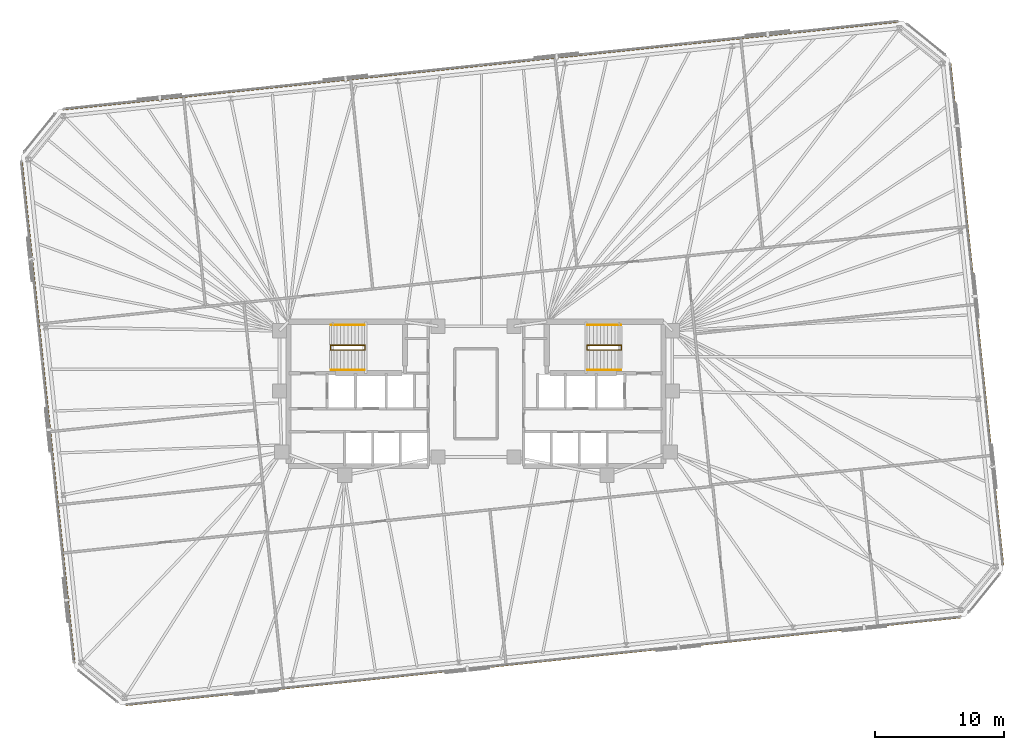
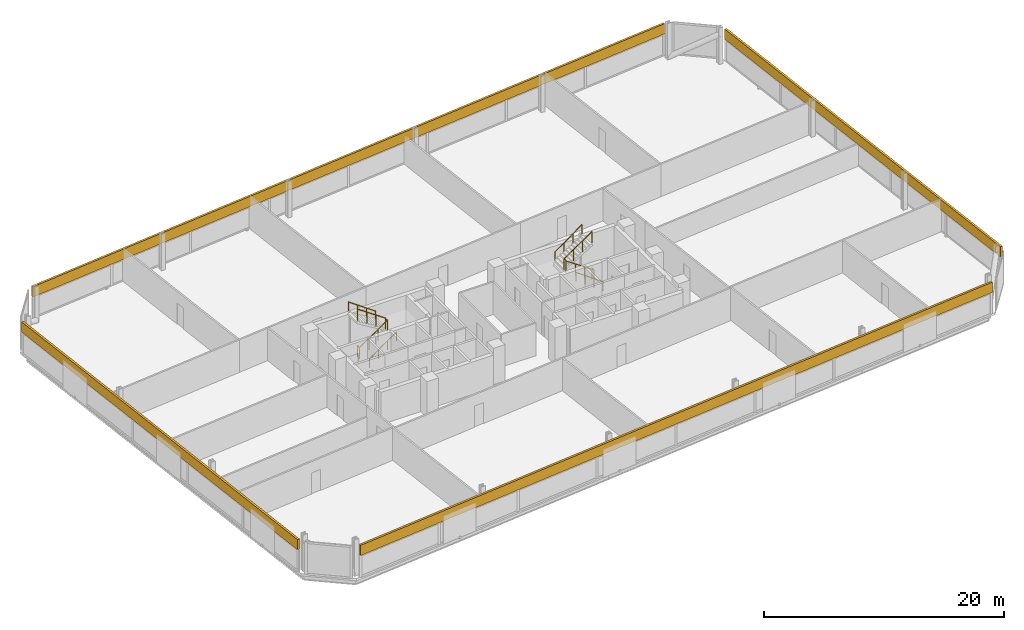
# One storey, part 18 of 18: 6 railings, 4 coverings.
"""IFC4 building model written with IfcOpenShell, lengths in metres."""

from ifc_helpers import new_model, si_unit, direction, frame, origin, origin_2d, place, context, subcontext, project, spatial, polyline, circle, outline, extrude, material, layer, layer_set, type_object, element, save


model = new_model("IFC4")

# Units and contexts
model_context = context("Model", 3, precision=1e-05, world=origin(), true_north=direction((0.0, 1.0)))
body_context = subcontext(model_context, "Body", "Model", "MODEL_VIEW")
ifc_project = project(units=[si_unit("LENGTHUNIT", "METRE"), si_unit("AREAUNIT", "SQUARE_METRE"), si_unit("VOLUMEUNIT", "CUBIC_METRE"), si_unit("PLANEANGLEUNIT", "RADIAN"), si_unit("MASSUNIT", "GRAM", prefix="KILO")], contexts=[model_context])

# Site, building, storey
site_placement = place(None, origin())
site = spatial("IfcSite", under=ifc_project, at=site_placement, CompositionType="ELEMENT")
building_placement = place(site_placement, origin())
building = spatial("IfcBuilding", under=site, at=building_placement, Name="Menara Jurai Vektor", CompositionType="ELEMENT")
storey_placement = place(building_placement, frame((0.0, 0.0, 139.199951171875)))
storey = spatial("IfcBuildingStorey", under=building, at=storey_placement, Name="L35", CompositionType="ELEMENT", Elevation=139.199951171875)

# Coverings
ifc_material_1 = material(Name="Insulated Pale Aluminium Spandrel Cladding", Category="aluminium")
ifc_layer = layer(ifc_material_1, 0.199951171875)
ifc_layer_set = layer_set([ifc_layer], Name="Insulated Pale Aluminium Spandrel Cladding")
covering_type = type_object("IfcCoveringType", Name="ENV-COV-SPANDREL", PredefinedType="CLADDING", material=ifc_layer_set)
covering_1_placement = place(storey_placement, frame((0.0, 0.0, 2.259033203125)))
element("IfcCovering", 1, at=covering_1_placement, inside=storey, type_object=covering_type, Name="Insulated Pale-Metal Spandrel Band L35 F01", PredefinedType="CLADDING", context=body_context, shape_type="SweptSolid", body=[
    extrude(outline(polyline([(-27.171875, -24.027587890625), (-27.15087890625, -24.2265625), (37.63232421875, -17.41748046875), (37.611328125, -17.218505859375), (-27.171875, -24.027587890625)])), origin(), (0.0, 0.0, 1.0), 1.0361328125),
])
covering_2_placement = place(storey_placement, frame((0.0, 0.0, 2.259033203125)))
element("IfcCovering", 2, at=covering_2_placement, inside=storey, type_object=covering_type, Name="Insulated Pale-Metal Spandrel Band L35 F03", PredefinedType="CLADDING", context=body_context, shape_type="SweptSolid", body=[
    extrude(outline(polyline([(40.797607421875, -13.2841796875), (40.99658203125, -13.26318359375), (36.9052734375, 25.66259765625), (36.706298828125, 25.6416015625), (40.797607421875, -13.2841796875)])), origin(), (0.0, 0.0, 1.0), 1.0361328125),
])
covering_3_placement = place(storey_placement, frame((0.0, 0.0, 2.259033203125)))
element("IfcCovering", 3, at=covering_3_placement, inside=storey, type_object=covering_type, Name="Insulated Pale-Metal Spandrel Band L35 F05", PredefinedType="CLADDING", context=body_context, shape_type="SweptSolid", body=[
    extrude(outline(polyline([(32.771728515625, 28.82763671875), (32.750732421875, 29.026611328125), (-32.032470703125, 22.217529296875), (-32.011474609375, 22.0185546875), (32.771728515625, 28.82763671875)])), origin(), (0.0, 0.0, 1.0), 1.0361328125),
])
covering_4_placement = place(storey_placement, frame((0.0, 0.0, 2.259033203125)))
element("IfcCovering", 4, at=covering_4_placement, inside=storey, type_object=covering_type, Name="Insulated Pale-Metal Spandrel Band L35 F07", PredefinedType="CLADDING", context=body_context, shape_type="SweptSolid", body=[
    extrude(outline(polyline([(-35.197509765625, 18.084228515625), (-35.396484375, 18.063232421875), (-31.305419921875, -20.862548828125), (-31.106201171875, -20.841552734375), (-35.197509765625, 18.084228515625)])), origin(), (0.0, 0.0, 1.0), 1.0361328125),
])

# Railings
ifc_material_2 = material(Name="Painted Galvanised Steel Balustrade", Category="steel")
railing_type_1 = type_object("IfcRailingType", Name="RAIL-STAIR-GUARD", PredefinedType="GUARDRAIL", material=ifc_material_2)
railing_1_placement = place(storey_placement, frame((-11.2900390625, 3.780029296875, 0.0)))
element("IfcRailing", 5, at=railing_1_placement, inside=storey, type_object=railing_type_1, Name="ST1 Stair Guardrail 1 L35", PredefinedType="GUARDRAIL", context=body_context, shape_type="SweptSolid", body=[
    extrude(circle(Radius=0.02392578125, at=origin_2d()), frame((0.0, 0.0, 1.1259765625), z_axis=(0.0, -1.0, 0.0), x_axis=(1.0, 0.0, 0.0)), (0.0, 0.0, 1.0), 0.360107421875),
    extrude(circle(Radius=0.02392578125, at=origin_2d()), frame((0.0, -0.360107421875, 1.1259765625), z_axis=(0.822944469782, 0.0, 0.568121817619), x_axis=(0.0, 1.0, 0.0)), (0.0, 0.0, 1.0), 3.256591796875),
    extrude(circle(Radius=0.02392578125, at=origin_2d()), frame((2.679931640625, -0.360107421875, 2.97607421875), z_axis=(0.0, 1.0, 0.0), x_axis=(-1.0, 0.0, 0.0)), (0.0, 0.0, 1.0), 0.360107421875),
    extrude(circle(Radius=0.02392578125, at=origin_2d()), frame((2.679931640625, 0.0, 2.97607421875), z_axis=(-0.822979520584, 0.0, 0.568071041948), x_axis=(0.0, -1.0, 0.0)), (0.0, 0.0, 1.0), 3.25634765625),
    extrude(circle(Radius=0.02099609375, at=origin_2d()), origin(), (0.0, 0.0, 1.0), 1.101806640625),
    extrude(circle(Radius=0.02099609375, at=origin_2d()), frame((0.0, -0.360107421875, 0.0)), (0.0, 0.0, 1.0), 1.101806640625),
    extrude(circle(Radius=0.02099609375, at=origin_2d()), frame((0.893310546875, -0.360107421875, 0.61669921875)), (0.0, 0.0, 1.0), 1.101806640625),
    extrude(circle(Radius=0.02099609375, at=origin_2d()), frame((1.78662109375, -0.360107421875, 1.2333984375)), (0.0, 0.0, 1.0), 1.101806640625),
    extrude(circle(Radius=0.02099609375, at=origin_2d()), frame((2.679931640625, -0.360107421875, 1.85009765625)), (0.0, 0.0, 1.0), 1.101806640625),
    extrude(circle(Radius=0.02099609375, at=origin_2d()), frame((2.679931640625, 0.0, 1.85009765625)), (0.0, 0.0, 1.0), 1.101806640625),
    extrude(circle(Radius=0.02099609375, at=origin_2d()), frame((1.78662109375, 0.0, 2.466796875)), (0.0, 0.0, 1.0), 1.101806640625),
    extrude(circle(Radius=0.02099609375, at=origin_2d()), frame((0.893310546875, 0.0, 3.083251953125)), (0.0, 0.0, 1.0), 1.101806640625),
    extrude(circle(Radius=0.02099609375, at=origin_2d()), frame((0.0, 0.0, 3.699951171875)), (0.0, 0.0, 1.0), 1.101806640625),
])
railing_2_placement = place(storey_placement, frame((11.2900390625, 3.780029296875, 0.0)))
element("IfcRailing", 6, at=railing_2_placement, inside=storey, type_object=railing_type_1, Name="ST2 Stair Guardrail 1 L35", PredefinedType="GUARDRAIL", context=body_context, shape_type="SweptSolid", body=[
    extrude(circle(Radius=0.02392578125, at=origin_2d()), frame((0.0, 0.0, 1.1259765625), z_axis=(0.0, -1.0, 0.0), x_axis=(1.0, 0.0, 0.0)), (0.0, 0.0, 1.0), 0.360107421875),
    extrude(circle(Radius=0.02392578125, at=origin_2d()), frame((0.0, -0.360107421875, 1.1259765625), z_axis=(-0.822944469782, 0.0, 0.568121817619), x_axis=(0.0, -1.0, 0.0)), (0.0, 0.0, 1.0), 3.256591796875),
    extrude(circle(Radius=0.02392578125, at=origin_2d()), frame((-2.679931640625, -0.360107421875, 2.97607421875), z_axis=(0.0, 1.0, 0.0), x_axis=(-1.0, 0.0, 0.0)), (0.0, 0.0, 1.0), 0.360107421875),
    extrude(circle(Radius=0.02392578125, at=origin_2d()), frame((-2.679931640625, 0.0, 2.97607421875), z_axis=(0.822979520584, 0.0, 0.568071041948), x_axis=(0.0, 1.0, 0.0)), (0.0, 0.0, 1.0), 3.25634765625),
    extrude(circle(Radius=0.02099609375, at=origin_2d()), origin(), (0.0, 0.0, 1.0), 1.101806640625),
    extrude(circle(Radius=0.02099609375, at=origin_2d()), frame((0.0, -0.360107421875, 0.0)), (0.0, 0.0, 1.0), 1.101806640625),
    extrude(circle(Radius=0.02099609375, at=origin_2d()), frame((-0.893310546875, -0.360107421875, 0.61669921875)), (0.0, 0.0, 1.0), 1.101806640625),
    extrude(circle(Radius=0.02099609375, at=origin_2d()), frame((-1.78662109375, -0.360107421875, 1.2333984375)), (0.0, 0.0, 1.0), 1.101806640625),
    extrude(circle(Radius=0.02099609375, at=origin_2d()), frame((-2.679931640625, -0.360107421875, 1.85009765625)), (0.0, 0.0, 1.0), 1.101806640625),
    extrude(circle(Radius=0.02099609375, at=origin_2d()), frame((-2.679931640625, 0.0, 1.85009765625)), (0.0, 0.0, 1.0), 1.101806640625),
    extrude(circle(Radius=0.02099609375, at=origin_2d()), frame((-1.78662109375, 0.0, 2.466796875)), (0.0, 0.0, 1.0), 1.101806640625),
    extrude(circle(Radius=0.02099609375, at=origin_2d()), frame((-0.893310546875, 0.0, 3.083251953125)), (0.0, 0.0, 1.0), 1.101806640625),
    extrude(circle(Radius=0.02099609375, at=origin_2d()), frame((0.0, 0.0, 3.699951171875)), (0.0, 0.0, 1.0), 1.101806640625),
])
ifc_material_3 = material(Name="Brushed Stainless Steel Handrail", Category="steel")
railing_type_2 = type_object("IfcRailingType", Name="RAIL-STAIR-HAND", PredefinedType="HANDRAIL", material=ifc_material_3)
railing_3_placement = place(storey_placement, frame((-11.25, 1.860107421875, 0.0)))
element("IfcRailing", 7, at=railing_3_placement, inside=storey, type_object=railing_type_2, Name="ST1 Stair Handrail 1 L35", PredefinedType="HANDRAIL", context=body_context, shape_type="SweptSolid", body=[
    extrude(circle(Radius=0.02392578125, at=origin_2d()), frame((0.0, 0.0, 0.89599609375), z_axis=(0.814786671209, 0.0, 0.579760882106), x_axis=(0.0, 1.0, 0.0)), (0.0, 0.0, 1.0), 3.191162109375),
    extrude(circle(Radius=0.02099609375, at=origin_2d()), origin(), (0.0, 0.0, 1.0), 0.871826171875),
    extrude(circle(Radius=0.02099609375, at=origin_2d()), frame((0.86669921875, 0.0, 0.61669921875)), (0.0, 0.0, 1.0), 0.871826171875),
    extrude(circle(Radius=0.02099609375, at=origin_2d()), frame((1.7333984375, 0.0, 1.2333984375)), (0.0, 0.0, 1.0), 0.871826171875),
    extrude(circle(Radius=0.02099609375, at=origin_2d()), frame((2.60009765625, 0.0, 1.85009765625)), (0.0, 0.0, 1.0), 0.871826171875),
])
railing_4_placement = place(storey_placement, frame((-8.64990234375, 5.340087890625, 1.85009765625)))
element("IfcRailing", 8, at=railing_4_placement, inside=storey, type_object=railing_type_2, Name="ST1 Stair Handrail 2 L35", PredefinedType="HANDRAIL", context=body_context, shape_type="SweptSolid", body=[
    extrude(circle(Radius=0.02392578125, at=origin_2d()), frame((0.0, 0.0, 0.89599609375), z_axis=(-0.814822811145, 0.0, 0.579710088267), x_axis=(0.0, -1.0, 0.0)), (0.0, 0.0, 1.0), 3.19091796875),
    extrude(circle(Radius=0.02099609375, at=origin_2d()), origin(), (0.0, 0.0, 1.0), 0.871826171875),
    extrude(circle(Radius=0.02099609375, at=origin_2d()), frame((-0.86669921875, 0.0, 0.61669921875)), (0.0, 0.0, 1.0), 0.871826171875),
    extrude(circle(Radius=0.02099609375, at=origin_2d()), frame((-1.7333984375, 0.0, 1.233154296875)), (0.0, 0.0, 1.0), 0.871826171875),
    extrude(circle(Radius=0.02099609375, at=origin_2d()), frame((-2.60009765625, 0.0, 1.849853515625)), (0.0, 0.0, 1.0), 0.871826171875),
])
railing_5_placement = place(storey_placement, frame((11.25, 1.860107421875, 0.0)))
element("IfcRailing", 9, at=railing_5_placement, inside=storey, type_object=railing_type_2, Name="ST2 Stair Handrail 1 L35", PredefinedType="HANDRAIL", context=body_context, shape_type="SweptSolid", body=[
    extrude(circle(Radius=0.02392578125, at=origin_2d()), frame((0.0, 0.0, 0.89599609375), z_axis=(-0.814786671209, 0.0, 0.579760882106), x_axis=(0.0, -1.0, 0.0)), (0.0, 0.0, 1.0), 3.191162109375),
    extrude(circle(Radius=0.02099609375, at=origin_2d()), origin(), (0.0, 0.0, 1.0), 0.871826171875),
    extrude(circle(Radius=0.02099609375, at=origin_2d()), frame((-0.86669921875, 0.0, 0.61669921875)), (0.0, 0.0, 1.0), 0.871826171875),
    extrude(circle(Radius=0.02099609375, at=origin_2d()), frame((-1.7333984375, 0.0, 1.2333984375)), (0.0, 0.0, 1.0), 0.871826171875),
    extrude(circle(Radius=0.02099609375, at=origin_2d()), frame((-2.60009765625, 0.0, 1.85009765625)), (0.0, 0.0, 1.0), 0.871826171875),
])
railing_6_placement = place(storey_placement, frame((8.64990234375, 5.340087890625, 1.85009765625)))
element("IfcRailing", 10, at=railing_6_placement, inside=storey, type_object=railing_type_2, Name="ST2 Stair Handrail 2 L35", PredefinedType="HANDRAIL", context=body_context, shape_type="SweptSolid", body=[
    extrude(circle(Radius=0.02392578125, at=origin_2d()), frame((0.0, 0.0, 0.89599609375), z_axis=(0.814822811145, 0.0, 0.579710088267), x_axis=(0.0, 1.0, 0.0)), (0.0, 0.0, 1.0), 3.19091796875),
    extrude(circle(Radius=0.02099609375, at=origin_2d()), origin(), (0.0, 0.0, 1.0), 0.871826171875),
    extrude(circle(Radius=0.02099609375, at=origin_2d()), frame((0.86669921875, 0.0, 0.61669921875)), (0.0, 0.0, 1.0), 0.871826171875),
    extrude(circle(Radius=0.02099609375, at=origin_2d()), frame((1.7333984375, 0.0, 1.233154296875)), (0.0, 0.0, 1.0), 0.871826171875),
    extrude(circle(Radius=0.02099609375, at=origin_2d()), frame((2.60009765625, 0.0, 1.849853515625)), (0.0, 0.0, 1.0), 0.871826171875),
])

save(model, "model.ifc")
